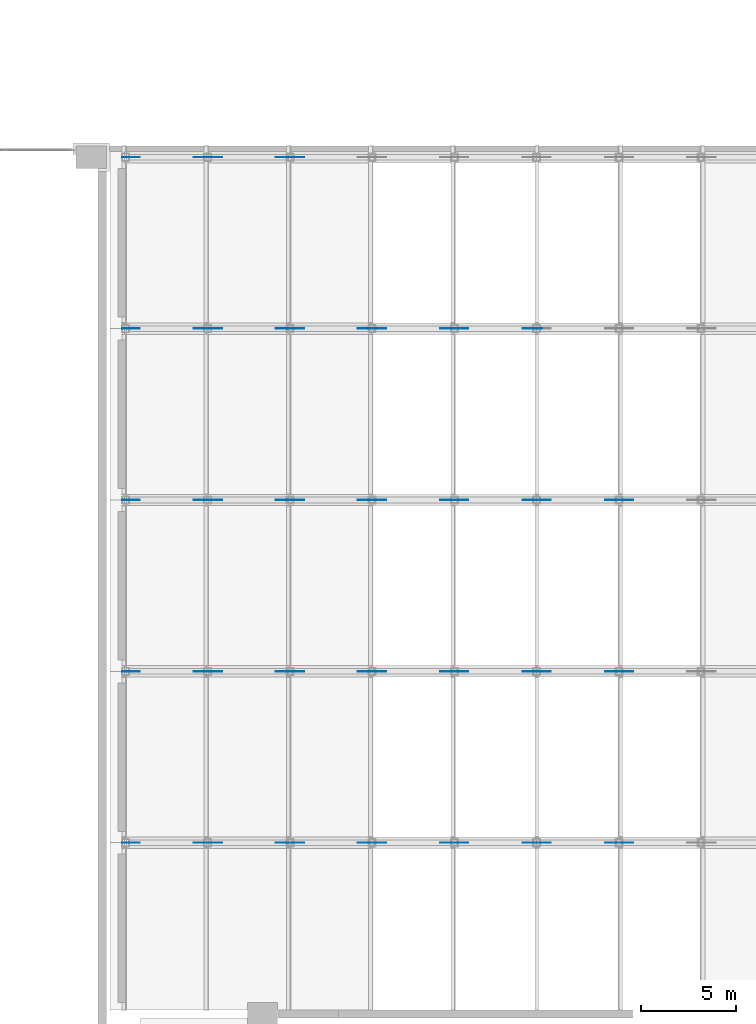
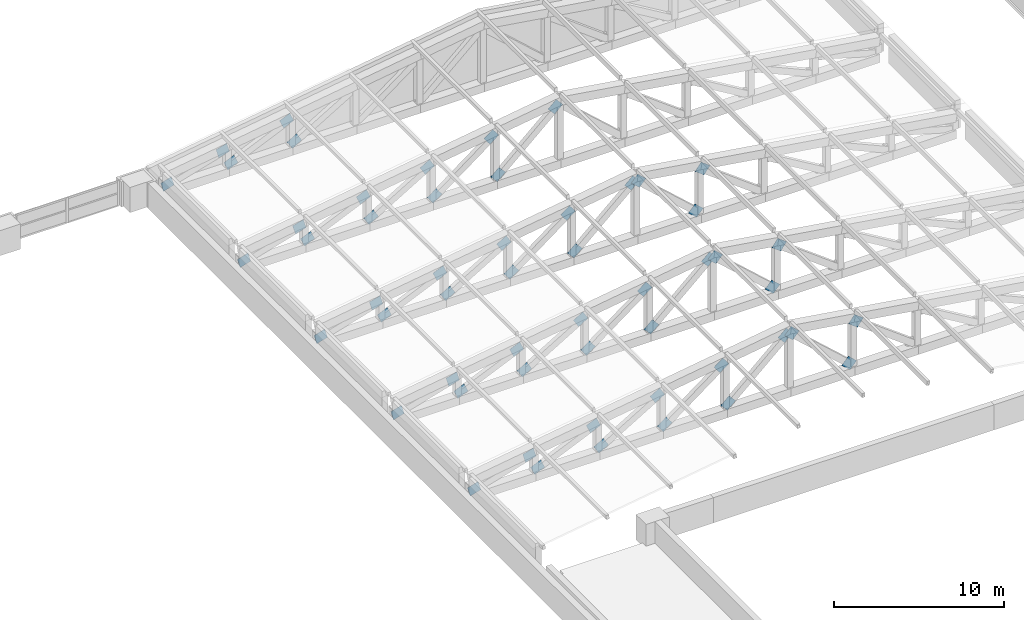
# One storey, part 18 of 32: 54 discrete accessories.
"""IFC4 building model written with IfcOpenShell, lengths in metres."""

from ifc_helpers import new_model, si_unit, direction, frame, origin, place, context, subcontext, project, spatial, polyline, outline, extrude, material, layer, layer_set, type_object, element, save


model = new_model("IFC4")

# Units and contexts
model_context = context("Model", 3, precision=1e-05, world=origin(), true_north=direction((0.0, 1.0)))
body_context = subcontext(model_context, "Body", "Model", "MODEL_VIEW")
ifc_project = project(units=[si_unit("LENGTHUNIT", "METRE"), si_unit("AREAUNIT", "SQUARE_METRE"), si_unit("VOLUMEUNIT", "CUBIC_METRE"), si_unit("PLANEANGLEUNIT", "RADIAN"), si_unit("MASSUNIT", "GRAM", prefix="KILO")], contexts=[model_context])

# Site, building, storey
site_placement = place(None, origin())
site = spatial("IfcSite", under=ifc_project, at=site_placement, CompositionType="ELEMENT")
building_placement = place(site_placement, origin())
building = spatial("IfcBuilding", under=site, at=building_placement, Name="Aravalli Gate Trade Fair Centre", CompositionType="ELEMENT")
storey_placement = place(building_placement, frame((0.0, 0.0, 23.39990234375)))
storey = spatial("IfcBuildingStorey", under=building, at=storey_placement, Name="ROOF LEVEL 1", CompositionType="ELEMENT", Elevation=23.39990234375)

# Discrete accessories
ifc_material = material(Name="Steel E350", Category="steel")
ifc_layer = layer(ifc_material, 0.01611328125)
ifc_layer_set = layer_set([ifc_layer], Name="Steel E350")
discrete_accessory_type = type_object("IfcDiscreteAccessoryType", Name="Gusset plate 675 x 675 x 16", PredefinedType="USERDEFINED", material=ifc_layer_set)
discrete_accessory_1_placement = place(storey_placement, frame((107.54248046875, 73.008056640625, 0.464599609375), z_axis=(0.0, 1.0, 0.0), x_axis=(-0.960195296604, 0.0, -0.27932954083)))
element("IfcDiscreteAccessory", 1, at=discrete_accessory_1_placement, inside=storey, type_object=discrete_accessory_type, Name="Gusset plate Roof truss 73 diagonal 1 end A", ObjectType="GUSSET PLATE", PredefinedType="USERDEFINED", context=body_context, shape_type="SweptSolid", body=[
    extrude(outline(polyline([(0.0, 0.0), (0.755156434128382, 0.0), (0.7550711895175329, 0.6750392866219126), (-8.52446108490501e-05, 0.6750392866219127), (0.0, 0.0)])), origin(), (0.0, 0.0, -1.0), 0.01611328125),
])
discrete_accessory_2_placement = place(storey_placement, frame((110.566162109375, 72.991943359375, 1.343994140625), z_axis=(0.0, -1.0, 0.0), x_axis=(0.960170059523, 0.0, 0.279416278689)))
element("IfcDiscreteAccessory", 2, at=discrete_accessory_2_placement, inside=storey, type_object=discrete_accessory_type, Name="Gusset plate Roof truss 73 diagonal 1 end B", ObjectType="GUSSET PLATE", PredefinedType="USERDEFINED", context=body_context, shape_type="SweptSolid", body=[
    extrude(outline(polyline([(0.0, 0.0), (0.7549220145287672, -2.7755575615628914e-17), (0.755000021777072, 0.6748048596486402), (0.00014622411321910112, 0.6750392761670784), (0.0, 0.0)])), origin(), (0.0, 0.0, -1.0), 0.01611328125),
])
discrete_accessory_3_placement = place(storey_placement, frame((111.60009765625, 72.991943359375, 1.182373046875), z_axis=(0.0, -1.0, 0.0), x_axis=(-0.914104656851, 0.0, -0.405478330276)))
element("IfcDiscreteAccessory", 3, at=discrete_accessory_3_placement, inside=storey, type_object=discrete_accessory_type, Name="Gusset plate Roof truss 73 diagonal 2 end A", ObjectType="GUSSET PLATE", PredefinedType="USERDEFINED", context=body_context, shape_type="SweptSolid", body=[
    extrude(outline(polyline([(0.0, 0.0), (0.7550399636434889, 0.0), (0.7550234646879928, 0.674922772485776), (8.24947774813456e-05, 0.6751459425680151), (0.0, 0.0)])), origin(), (0.0, 0.0, -1.0), 0.01611328125),
])
discrete_accessory_4_placement = place(storey_placement, frame((114.9599609375, 72.991943359375, 1.934326171875), z_axis=(0.0, -1.0, 0.0), x_axis=(0.91405147077, 0.0, 0.405598211021)))
element("IfcDiscreteAccessory", 4, at=discrete_accessory_4_placement, inside=storey, type_object=discrete_accessory_type, Name="Gusset plate Roof truss 73 diagonal 2 end B", ObjectType="GUSSET PLATE", PredefinedType="USERDEFINED", context=body_context, shape_type="SweptSolid", body=[
    extrude(outline(polyline([(0.0, 0.0), (0.7548168000527319, 0.0), (0.754888816780541, 0.6749227688452162), (-5.2117368809223574e-05, 0.6752449489433096), (0.0, 0.0)])), origin(), (0.0, 0.0, -1.0), 0.01611328125),
])
discrete_accessory_5_placement = place(storey_placement, frame((115.8466796875, 72.991943359375, 1.235595703125), z_axis=(0.0, -1.0, 0.0), x_axis=(-0.858774562998, 0.0, -0.512353637585)))
element("IfcDiscreteAccessory", 5, at=discrete_accessory_5_placement, inside=storey, type_object=discrete_accessory_type, Name="Gusset plate Roof truss 73 diagonal 3 end A", ObjectType="GUSSET PLATE", PredefinedType="USERDEFINED", context=body_context, shape_type="SweptSolid", body=[
    extrude(outline(polyline([(0.0, 0.0), (0.7547887272206776, 0.0), (0.7548626418745374, 0.674859268403079), (-0.00013574710468472473, 0.6749843547403801), (0.0, 0.0)])), origin(), (0.0, 0.0, -1.0), 0.01611328125),
])
discrete_accessory_6_placement = place(storey_placement, frame((119.353271484375, 72.991943359375, 2.541015625), z_axis=(0.0, -1.0, 0.0), x_axis=(0.858859436743, 0.0, 0.512211350829)))
element("IfcDiscreteAccessory", 6, at=discrete_accessory_6_placement, inside=storey, type_object=discrete_accessory_type, Name="Gusset plate Roof truss 73 diagonal 3 end B", ObjectType="GUSSET PLATE", PredefinedType="USERDEFINED", context=body_context, shape_type="SweptSolid", body=[
    extrude(outline(polyline([(0.0, 0.0), (0.7549983993412255, 0.0), (0.7547508224375146, 0.6749843229862753), (-0.0002475769037109665, 0.6749843229862754), (0.0, 0.0)])), origin(), (0.0, 0.0, -1.0), 0.01611328125),
])
discrete_accessory_7_placement = place(storey_placement, frame((120.097900390625, 72.991943359375, 1.27490234375), z_axis=(0.0, -1.0, 0.0), x_axis=(-0.800349107724, 0.0, -0.599534240695)))
element("IfcDiscreteAccessory", 7, at=discrete_accessory_7_placement, inside=storey, type_object=discrete_accessory_type, Name="Gusset plate Roof truss 73 diagonal 4 end A", ObjectType="GUSSET PLATE", PredefinedType="USERDEFINED", context=body_context, shape_type="SweptSolid", body=[
    extrude(outline(polyline([(0.0, 0.0), (0.7549805966467078, 0.0), (0.755124835699325, 0.6749513701719645), (-5.115867876076541e-05, 0.6750977408361967), (0.0, 0.0)])), origin(), (0.0, 0.0, -1.0), 0.01611328125),
])
discrete_accessory_8_placement = place(storey_placement, frame((123.7421875, 72.991943359375, 3.161865234375), z_axis=(0.0, -1.0, 0.0), x_axis=(0.800349107724, 0.0, 0.599534240695)))
element("IfcDiscreteAccessory", 8, at=discrete_accessory_8_placement, inside=storey, type_object=discrete_accessory_type, Name="Gusset plate Roof truss 73 diagonal 4 end B", ObjectType="GUSSET PLATE", PredefinedType="USERDEFINED", context=body_context, shape_type="SweptSolid", body=[
    extrude(outline(polyline([(0.0, 0.0), (0.7549805966467078, 0.0), (0.754929437967947, 0.6750977408361967), (-0.00019752934299294145, 0.6749023431048188), (0.0, 0.0)])), origin(), (0.0, 0.0, -1.0), 0.01611328125),
])
for number, where, z_axis, x_axis, name in (
    (9, (124.355224609375, 72.991943359375, 1.302734375), (0.0, -1.0, 0.0), (-0.742698988636, 0.0, -0.669625426846), "Gusset plate Roof truss 73 diagonal 5 end A"),
    (10, (128.124755859375, 72.991943359375, 3.7939453125), (0.0, -1.0, 0.0), (0.742698988636, 0.0, 0.669625426846), "Gusset plate Roof truss 73 diagonal 5 end B"),
):
    element("IfcDiscreteAccessory", number, at=place(storey_placement, frame(where, z_axis=z_axis, x_axis=x_axis)), inside=storey, type_object=discrete_accessory_type, Name=name, ObjectType="GUSSET PLATE", PredefinedType="USERDEFINED", context=body_context, shape_type="SweptSolid", body=[
        extrude(outline(polyline([(0.0, 0.0), (0.7550717372791841, 0.0), (0.7548916773086937, 0.6750261997531783), (-0.00018005997049042044, 0.6750261997531783), (0.0, 0.0)])), origin(), (0.0, 0.0, -1.0), 0.01611328125),
    ])
discrete_accessory_9_placement = place(storey_placement, frame((131.99267578125, 72.991943359375, 0.801513671875), z_axis=(0.0, -1.0, 0.0), x_axis=(0.742698988636, 0.0, -0.669625426846)))
element("IfcDiscreteAccessory", 11, at=discrete_accessory_9_placement, inside=storey, type_object=discrete_accessory_type, Name="Gusset plate Roof truss 73 diagonal 6 end A", ObjectType="GUSSET PLATE", PredefinedType="USERDEFINED", context=body_context, shape_type="SweptSolid", body=[
    extrude(outline(polyline([(0.0, 0.0), (0.7550717372791841, 0.0), (0.7552517972496745, 0.6750261997531783), (0.00018005997049042044, 0.6750261997531783), (0.0, 0.0)])), origin(), (0.0, 0.0, -1.0), 0.01611328125),
])
discrete_accessory_10_placement = place(storey_placement, frame((128.67529296875, 73.008056640625, 3.7939453125), z_axis=(0.0, 1.0, 0.0), x_axis=(-0.742698988636, 0.0, 0.669625426846)))
element("IfcDiscreteAccessory", 12, at=discrete_accessory_10_placement, inside=storey, type_object=discrete_accessory_type, Name="Gusset plate Roof truss 73 diagonal 6 end B", ObjectType="GUSSET PLATE", PredefinedType="USERDEFINED", context=body_context, shape_type="SweptSolid", body=[
    extrude(outline(polyline([(0.0, 0.0), (0.7550717372791841, 0.0), (0.7548916773086937, 0.6750261997531783), (1.2630247820388796e-06, 0.6748627169829523), (0.0, 0.0)])), origin(), (0.0, 0.0, -1.0), 0.01611328125),
])
discrete_accessory_11_placement = place(storey_placement, frame((133.057861328125, 73.008056640625, 3.161865234375), z_axis=(0.0, 1.0, 0.0), x_axis=(-0.800349107724, 0.0, 0.599534240695)))
element("IfcDiscreteAccessory", 13, at=discrete_accessory_11_placement, inside=storey, type_object=discrete_accessory_type, Name="Gusset plate Roof truss 73 diagonal 7 end B", ObjectType="GUSSET PLATE", PredefinedType="USERDEFINED", context=body_context, shape_type="SweptSolid", body=[
    extrude(outline(polyline([(0.0, 0.0), (0.7549805966467078, 0.0), (0.754929437967947, 0.6750977408361967), (-0.00019752934299294145, 0.6749023431048188), (0.0, 0.0)])), origin(), (0.0, 0.0, -1.0), 0.01611328125),
])
discrete_accessory_12_placement = place(storey_placement, frame((107.54248046875, 82.008056640625, 0.464599609375), z_axis=(0.0, 1.0, 0.0), x_axis=(-0.960195296604, 0.0, -0.27932954083)))
element("IfcDiscreteAccessory", 14, at=discrete_accessory_12_placement, inside=storey, type_object=discrete_accessory_type, Name="Gusset plate Roof truss 82 diagonal 1 end A", ObjectType="GUSSET PLATE", PredefinedType="USERDEFINED", context=body_context, shape_type="SweptSolid", body=[
    extrude(outline(polyline([(0.0, 0.0), (0.755156434128382, 0.0), (0.7550711895175329, 0.6750392866219126), (-8.52446108490501e-05, 0.6750392866219127), (0.0, 0.0)])), origin(), (0.0, 0.0, -1.0), 0.01611328125),
])
discrete_accessory_13_placement = place(storey_placement, frame((110.566162109375, 81.991943359375, 1.343994140625), z_axis=(0.0, -1.0, 0.0), x_axis=(0.960170059523, 0.0, 0.279416278689)))
element("IfcDiscreteAccessory", 15, at=discrete_accessory_13_placement, inside=storey, type_object=discrete_accessory_type, Name="Gusset plate Roof truss 82 diagonal 1 end B", ObjectType="GUSSET PLATE", PredefinedType="USERDEFINED", context=body_context, shape_type="SweptSolid", body=[
    extrude(outline(polyline([(0.0, 0.0), (0.7549220145287672, -2.7755575615628914e-17), (0.755000021777072, 0.6748048596486402), (0.00014622411321910112, 0.6750392761670784), (0.0, 0.0)])), origin(), (0.0, 0.0, -1.0), 0.01611328125),
])
discrete_accessory_14_placement = place(storey_placement, frame((111.60009765625, 81.991943359375, 1.182373046875), z_axis=(0.0, -1.0, 0.0), x_axis=(-0.914104656851, 0.0, -0.405478330276)))
element("IfcDiscreteAccessory", 16, at=discrete_accessory_14_placement, inside=storey, type_object=discrete_accessory_type, Name="Gusset plate Roof truss 82 diagonal 2 end A", ObjectType="GUSSET PLATE", PredefinedType="USERDEFINED", context=body_context, shape_type="SweptSolid", body=[
    extrude(outline(polyline([(0.0, 0.0), (0.7550399636434889, 0.0), (0.7550234646879928, 0.674922772485776), (8.24947774813456e-05, 0.6751459425680151), (0.0, 0.0)])), origin(), (0.0, 0.0, -1.0), 0.01611328125),
])
discrete_accessory_15_placement = place(storey_placement, frame((114.9599609375, 81.991943359375, 1.934326171875), z_axis=(0.0, -1.0, 0.0), x_axis=(0.91405147077, 0.0, 0.405598211021)))
element("IfcDiscreteAccessory", 17, at=discrete_accessory_15_placement, inside=storey, type_object=discrete_accessory_type, Name="Gusset plate Roof truss 82 diagonal 2 end B", ObjectType="GUSSET PLATE", PredefinedType="USERDEFINED", context=body_context, shape_type="SweptSolid", body=[
    extrude(outline(polyline([(0.0, 0.0), (0.7548168000527319, 0.0), (0.754888816780541, 0.6749227688452162), (-5.2117368809223574e-05, 0.6752449489433096), (0.0, 0.0)])), origin(), (0.0, 0.0, -1.0), 0.01611328125),
])
discrete_accessory_16_placement = place(storey_placement, frame((115.8466796875, 81.991943359375, 1.235595703125), z_axis=(0.0, -1.0, 0.0), x_axis=(-0.858774562998, 0.0, -0.512353637585)))
element("IfcDiscreteAccessory", 18, at=discrete_accessory_16_placement, inside=storey, type_object=discrete_accessory_type, Name="Gusset plate Roof truss 82 diagonal 3 end A", ObjectType="GUSSET PLATE", PredefinedType="USERDEFINED", context=body_context, shape_type="SweptSolid", body=[
    extrude(outline(polyline([(0.0, 0.0), (0.7547887272206776, 0.0), (0.7548626418745374, 0.674859268403079), (-0.00013574710468472473, 0.6749843547403801), (0.0, 0.0)])), origin(), (0.0, 0.0, -1.0), 0.01611328125),
])
discrete_accessory_17_placement = place(storey_placement, frame((119.353271484375, 81.991943359375, 2.541015625), z_axis=(0.0, -1.0, 0.0), x_axis=(0.858859436743, 0.0, 0.512211350829)))
element("IfcDiscreteAccessory", 19, at=discrete_accessory_17_placement, inside=storey, type_object=discrete_accessory_type, Name="Gusset plate Roof truss 82 diagonal 3 end B", ObjectType="GUSSET PLATE", PredefinedType="USERDEFINED", context=body_context, shape_type="SweptSolid", body=[
    extrude(outline(polyline([(0.0, 0.0), (0.7549983993412255, 0.0), (0.7547508224375146, 0.6749843229862753), (-0.0002475769037109665, 0.6749843229862754), (0.0, 0.0)])), origin(), (0.0, 0.0, -1.0), 0.01611328125),
])
discrete_accessory_18_placement = place(storey_placement, frame((120.097900390625, 81.991943359375, 1.27490234375), z_axis=(0.0, -1.0, 0.0), x_axis=(-0.800349107724, 0.0, -0.599534240695)))
element("IfcDiscreteAccessory", 20, at=discrete_accessory_18_placement, inside=storey, type_object=discrete_accessory_type, Name="Gusset plate Roof truss 82 diagonal 4 end A", ObjectType="GUSSET PLATE", PredefinedType="USERDEFINED", context=body_context, shape_type="SweptSolid", body=[
    extrude(outline(polyline([(0.0, 0.0), (0.7549805966467078, 0.0), (0.755124835699325, 0.6749513701719645), (-5.115867876076541e-05, 0.6750977408361967), (0.0, 0.0)])), origin(), (0.0, 0.0, -1.0), 0.01611328125),
])
discrete_accessory_19_placement = place(storey_placement, frame((123.7421875, 81.991943359375, 3.161865234375), z_axis=(0.0, -1.0, 0.0), x_axis=(0.800349107724, 0.0, 0.599534240695)))
element("IfcDiscreteAccessory", 21, at=discrete_accessory_19_placement, inside=storey, type_object=discrete_accessory_type, Name="Gusset plate Roof truss 82 diagonal 4 end B", ObjectType="GUSSET PLATE", PredefinedType="USERDEFINED", context=body_context, shape_type="SweptSolid", body=[
    extrude(outline(polyline([(0.0, 0.0), (0.7549805966467078, 0.0), (0.754929437967947, 0.6750977408361967), (-0.00019752934299294145, 0.6749023431048188), (0.0, 0.0)])), origin(), (0.0, 0.0, -1.0), 0.01611328125),
])
for number, where, z_axis, x_axis, name in (
    (22, (124.355224609375, 81.991943359375, 1.302734375), (0.0, -1.0, 0.0), (-0.742698988636, 0.0, -0.669625426846), "Gusset plate Roof truss 82 diagonal 5 end A"),
    (23, (128.124755859375, 81.991943359375, 3.7939453125), (0.0, -1.0, 0.0), (0.742698988636, 0.0, 0.669625426846), "Gusset plate Roof truss 82 diagonal 5 end B"),
):
    element("IfcDiscreteAccessory", number, at=place(storey_placement, frame(where, z_axis=z_axis, x_axis=x_axis)), inside=storey, type_object=discrete_accessory_type, Name=name, ObjectType="GUSSET PLATE", PredefinedType="USERDEFINED", context=body_context, shape_type="SweptSolid", body=[
        extrude(outline(polyline([(0.0, 0.0), (0.7550717372791841, 0.0), (0.7548916773086937, 0.6750261997531783), (-0.00018005997049042044, 0.6750261997531783), (0.0, 0.0)])), origin(), (0.0, 0.0, -1.0), 0.01611328125),
    ])
discrete_accessory_20_placement = place(storey_placement, frame((131.99267578125, 81.991943359375, 0.801513671875), z_axis=(0.0, -1.0, 0.0), x_axis=(0.742698988636, 0.0, -0.669625426846)))
element("IfcDiscreteAccessory", 24, at=discrete_accessory_20_placement, inside=storey, type_object=discrete_accessory_type, Name="Gusset plate Roof truss 82 diagonal 6 end A", ObjectType="GUSSET PLATE", PredefinedType="USERDEFINED", context=body_context, shape_type="SweptSolid", body=[
    extrude(outline(polyline([(0.0, 0.0), (0.7550717372791841, 0.0), (0.7552517972496745, 0.6750261997531783), (0.00018005997049042044, 0.6750261997531783), (0.0, 0.0)])), origin(), (0.0, 0.0, -1.0), 0.01611328125),
])
discrete_accessory_21_placement = place(storey_placement, frame((128.67529296875, 82.008056640625, 3.7939453125), z_axis=(0.0, 1.0, 0.0), x_axis=(-0.742698988636, 0.0, 0.669625426846)))
element("IfcDiscreteAccessory", 25, at=discrete_accessory_21_placement, inside=storey, type_object=discrete_accessory_type, Name="Gusset plate Roof truss 82 diagonal 6 end B", ObjectType="GUSSET PLATE", PredefinedType="USERDEFINED", context=body_context, shape_type="SweptSolid", body=[
    extrude(outline(polyline([(0.0, 0.0), (0.7550717372791841, 0.0), (0.7548916773086937, 0.6750261997531783), (1.2630247820388796e-06, 0.6748627169829523), (0.0, 0.0)])), origin(), (0.0, 0.0, -1.0), 0.01611328125),
])
discrete_accessory_22_placement = place(storey_placement, frame((133.057861328125, 82.008056640625, 3.161865234375), z_axis=(0.0, 1.0, 0.0), x_axis=(-0.800349107724, 0.0, 0.599534240695)))
element("IfcDiscreteAccessory", 26, at=discrete_accessory_22_placement, inside=storey, type_object=discrete_accessory_type, Name="Gusset plate Roof truss 82 diagonal 7 end B", ObjectType="GUSSET PLATE", PredefinedType="USERDEFINED", context=body_context, shape_type="SweptSolid", body=[
    extrude(outline(polyline([(0.0, 0.0), (0.7549805966467078, 0.0), (0.754929437967947, 0.6750977408361967), (-0.00019752934299294145, 0.6749023431048188), (0.0, 0.0)])), origin(), (0.0, 0.0, -1.0), 0.01611328125),
])
discrete_accessory_23_placement = place(storey_placement, frame((107.54248046875, 91.008056640625, 0.464599609375), z_axis=(0.0, 1.0, 0.0), x_axis=(-0.960195296604, 0.0, -0.27932954083)))
element("IfcDiscreteAccessory", 27, at=discrete_accessory_23_placement, inside=storey, type_object=discrete_accessory_type, Name="Gusset plate Roof truss 91 diagonal 1 end A", ObjectType="GUSSET PLATE", PredefinedType="USERDEFINED", context=body_context, shape_type="SweptSolid", body=[
    extrude(outline(polyline([(0.0, 0.0), (0.755156434128382, 0.0), (0.7550711895175329, 0.6750392866219126), (-8.52446108490501e-05, 0.6750392866219127), (0.0, 0.0)])), origin(), (0.0, 0.0, -1.0), 0.01611328125),
])
discrete_accessory_24_placement = place(storey_placement, frame((110.566162109375, 90.991943359375, 1.343994140625), z_axis=(0.0, -1.0, 0.0), x_axis=(0.960170059523, 0.0, 0.279416278689)))
element("IfcDiscreteAccessory", 28, at=discrete_accessory_24_placement, inside=storey, type_object=discrete_accessory_type, Name="Gusset plate Roof truss 91 diagonal 1 end B", ObjectType="GUSSET PLATE", PredefinedType="USERDEFINED", context=body_context, shape_type="SweptSolid", body=[
    extrude(outline(polyline([(0.0, 0.0), (0.7549220145287672, -2.7755575615628914e-17), (0.755000021777072, 0.6748048596486402), (0.00014622411321910112, 0.6750392761670784), (0.0, 0.0)])), origin(), (0.0, 0.0, -1.0), 0.01611328125),
])
discrete_accessory_25_placement = place(storey_placement, frame((111.60009765625, 90.991943359375, 1.182373046875), z_axis=(0.0, -1.0, 0.0), x_axis=(-0.914104656851, 0.0, -0.405478330276)))
element("IfcDiscreteAccessory", 29, at=discrete_accessory_25_placement, inside=storey, type_object=discrete_accessory_type, Name="Gusset plate Roof truss 91 diagonal 2 end A", ObjectType="GUSSET PLATE", PredefinedType="USERDEFINED", context=body_context, shape_type="SweptSolid", body=[
    extrude(outline(polyline([(0.0, 0.0), (0.7550399636434889, 0.0), (0.7550234646879928, 0.674922772485776), (8.24947774813456e-05, 0.6751459425680151), (0.0, 0.0)])), origin(), (0.0, 0.0, -1.0), 0.01611328125),
])
discrete_accessory_26_placement = place(storey_placement, frame((114.9599609375, 90.991943359375, 1.934326171875), z_axis=(0.0, -1.0, 0.0), x_axis=(0.91405147077, 0.0, 0.405598211021)))
element("IfcDiscreteAccessory", 30, at=discrete_accessory_26_placement, inside=storey, type_object=discrete_accessory_type, Name="Gusset plate Roof truss 91 diagonal 2 end B", ObjectType="GUSSET PLATE", PredefinedType="USERDEFINED", context=body_context, shape_type="SweptSolid", body=[
    extrude(outline(polyline([(0.0, 0.0), (0.7548168000527319, 0.0), (0.754888816780541, 0.6749227688452162), (-5.2117368809223574e-05, 0.6752449489433096), (0.0, 0.0)])), origin(), (0.0, 0.0, -1.0), 0.01611328125),
])
discrete_accessory_27_placement = place(storey_placement, frame((115.8466796875, 90.991943359375, 1.235595703125), z_axis=(0.0, -1.0, 0.0), x_axis=(-0.858774562998, 0.0, -0.512353637585)))
element("IfcDiscreteAccessory", 31, at=discrete_accessory_27_placement, inside=storey, type_object=discrete_accessory_type, Name="Gusset plate Roof truss 91 diagonal 3 end A", ObjectType="GUSSET PLATE", PredefinedType="USERDEFINED", context=body_context, shape_type="SweptSolid", body=[
    extrude(outline(polyline([(0.0, 0.0), (0.7547887272206776, 0.0), (0.7548626418745374, 0.674859268403079), (-0.00013574710468472473, 0.6749843547403801), (0.0, 0.0)])), origin(), (0.0, 0.0, -1.0), 0.01611328125),
])
discrete_accessory_28_placement = place(storey_placement, frame((119.353271484375, 90.991943359375, 2.541015625), z_axis=(0.0, -1.0, 0.0), x_axis=(0.858859436743, 0.0, 0.512211350829)))
element("IfcDiscreteAccessory", 32, at=discrete_accessory_28_placement, inside=storey, type_object=discrete_accessory_type, Name="Gusset plate Roof truss 91 diagonal 3 end B", ObjectType="GUSSET PLATE", PredefinedType="USERDEFINED", context=body_context, shape_type="SweptSolid", body=[
    extrude(outline(polyline([(0.0, 0.0), (0.7549983993412255, 0.0), (0.7547508224375146, 0.6749843229862753), (-0.0002475769037109665, 0.6749843229862754), (0.0, 0.0)])), origin(), (0.0, 0.0, -1.0), 0.01611328125),
])
discrete_accessory_29_placement = place(storey_placement, frame((120.097900390625, 90.991943359375, 1.27490234375), z_axis=(0.0, -1.0, 0.0), x_axis=(-0.800349107724, 0.0, -0.599534240695)))
element("IfcDiscreteAccessory", 33, at=discrete_accessory_29_placement, inside=storey, type_object=discrete_accessory_type, Name="Gusset plate Roof truss 91 diagonal 4 end A", ObjectType="GUSSET PLATE", PredefinedType="USERDEFINED", context=body_context, shape_type="SweptSolid", body=[
    extrude(outline(polyline([(0.0, 0.0), (0.7549805966467078, 0.0), (0.755124835699325, 0.6749513701719645), (-5.115867876076541e-05, 0.6750977408361967), (0.0, 0.0)])), origin(), (0.0, 0.0, -1.0), 0.01611328125),
])
discrete_accessory_30_placement = place(storey_placement, frame((123.7421875, 90.991943359375, 3.161865234375), z_axis=(0.0, -1.0, 0.0), x_axis=(0.800349107724, 0.0, 0.599534240695)))
element("IfcDiscreteAccessory", 34, at=discrete_accessory_30_placement, inside=storey, type_object=discrete_accessory_type, Name="Gusset plate Roof truss 91 diagonal 4 end B", ObjectType="GUSSET PLATE", PredefinedType="USERDEFINED", context=body_context, shape_type="SweptSolid", body=[
    extrude(outline(polyline([(0.0, 0.0), (0.7549805966467078, 0.0), (0.754929437967947, 0.6750977408361967), (-0.00019752934299294145, 0.6749023431048188), (0.0, 0.0)])), origin(), (0.0, 0.0, -1.0), 0.01611328125),
])
for number, where, z_axis, x_axis, name in (
    (35, (124.355224609375, 90.991943359375, 1.302734375), (0.0, -1.0, 0.0), (-0.742698988636, 0.0, -0.669625426846), "Gusset plate Roof truss 91 diagonal 5 end A"),
    (36, (128.124755859375, 90.991943359375, 3.7939453125), (0.0, -1.0, 0.0), (0.742698988636, 0.0, 0.669625426846), "Gusset plate Roof truss 91 diagonal 5 end B"),
):
    element("IfcDiscreteAccessory", number, at=place(storey_placement, frame(where, z_axis=z_axis, x_axis=x_axis)), inside=storey, type_object=discrete_accessory_type, Name=name, ObjectType="GUSSET PLATE", PredefinedType="USERDEFINED", context=body_context, shape_type="SweptSolid", body=[
        extrude(outline(polyline([(0.0, 0.0), (0.7550717372791841, 0.0), (0.7548916773086937, 0.6750261997531783), (-0.00018005997049042044, 0.6750261997531783), (0.0, 0.0)])), origin(), (0.0, 0.0, -1.0), 0.01611328125),
    ])
discrete_accessory_31_placement = place(storey_placement, frame((131.99267578125, 90.991943359375, 0.801513671875), z_axis=(0.0, -1.0, 0.0), x_axis=(0.742698988636, 0.0, -0.669625426846)))
element("IfcDiscreteAccessory", 37, at=discrete_accessory_31_placement, inside=storey, type_object=discrete_accessory_type, Name="Gusset plate Roof truss 91 diagonal 6 end A", ObjectType="GUSSET PLATE", PredefinedType="USERDEFINED", context=body_context, shape_type="SweptSolid", body=[
    extrude(outline(polyline([(0.0, 0.0), (0.7550717372791841, 0.0), (0.7552517972496745, 0.6750261997531783), (0.00018005997049042044, 0.6750261997531783), (0.0, 0.0)])), origin(), (0.0, 0.0, -1.0), 0.01611328125),
])
discrete_accessory_32_placement = place(storey_placement, frame((128.67529296875, 91.008056640625, 3.7939453125), z_axis=(0.0, 1.0, 0.0), x_axis=(-0.742698988636, 0.0, 0.669625426846)))
element("IfcDiscreteAccessory", 38, at=discrete_accessory_32_placement, inside=storey, type_object=discrete_accessory_type, Name="Gusset plate Roof truss 91 diagonal 6 end B", ObjectType="GUSSET PLATE", PredefinedType="USERDEFINED", context=body_context, shape_type="SweptSolid", body=[
    extrude(outline(polyline([(0.0, 0.0), (0.7550717372791841, 0.0), (0.7548916773086937, 0.6750261997531783), (1.2630247820388796e-06, 0.6748627169829523), (0.0, 0.0)])), origin(), (0.0, 0.0, -1.0), 0.01611328125),
])
discrete_accessory_33_placement = place(storey_placement, frame((133.057861328125, 91.008056640625, 3.161865234375), z_axis=(0.0, 1.0, 0.0), x_axis=(-0.800349107724, 0.0, 0.599534240695)))
element("IfcDiscreteAccessory", 39, at=discrete_accessory_33_placement, inside=storey, type_object=discrete_accessory_type, Name="Gusset plate Roof truss 91 diagonal 7 end B", ObjectType="GUSSET PLATE", PredefinedType="USERDEFINED", context=body_context, shape_type="SweptSolid", body=[
    extrude(outline(polyline([(0.0, 0.0), (0.7549805966467078, 0.0), (0.754929437967947, 0.6750977408361967), (-0.00019752934299294145, 0.6749023431048188), (0.0, 0.0)])), origin(), (0.0, 0.0, -1.0), 0.01611328125),
])
discrete_accessory_34_placement = place(storey_placement, frame((107.54248046875, 100.008056640625, 0.464599609375), z_axis=(0.0, 1.0, 0.0), x_axis=(-0.960195296604, 0.0, -0.27932954083)))
element("IfcDiscreteAccessory", 40, at=discrete_accessory_34_placement, inside=storey, type_object=discrete_accessory_type, Name="Gusset plate Roof truss 100 diagonal 1 end A", ObjectType="GUSSET PLATE", PredefinedType="USERDEFINED", context=body_context, shape_type="SweptSolid", body=[
    extrude(outline(polyline([(0.0, 0.0), (0.755156434128382, 0.0), (0.7550711895175329, 0.6750392866219126), (-8.52446108490501e-05, 0.6750392866219127), (0.0, 0.0)])), origin(), (0.0, 0.0, -1.0), 0.01611328125),
])
discrete_accessory_35_placement = place(storey_placement, frame((110.566162109375, 99.991943359375, 1.343994140625), z_axis=(0.0, -1.0, 0.0), x_axis=(0.960170059523, 0.0, 0.279416278689)))
element("IfcDiscreteAccessory", 41, at=discrete_accessory_35_placement, inside=storey, type_object=discrete_accessory_type, Name="Gusset plate Roof truss 100 diagonal 1 end B", ObjectType="GUSSET PLATE", PredefinedType="USERDEFINED", context=body_context, shape_type="SweptSolid", body=[
    extrude(outline(polyline([(0.0, 0.0), (0.7549220145287672, -2.7755575615628914e-17), (0.755000021777072, 0.6748048596486402), (0.00014622411321910112, 0.6750392761670784), (0.0, 0.0)])), origin(), (0.0, 0.0, -1.0), 0.01611328125),
])
discrete_accessory_36_placement = place(storey_placement, frame((111.60009765625, 99.991943359375, 1.182373046875), z_axis=(0.0, -1.0, 0.0), x_axis=(-0.914104656851, 0.0, -0.405478330276)))
element("IfcDiscreteAccessory", 42, at=discrete_accessory_36_placement, inside=storey, type_object=discrete_accessory_type, Name="Gusset plate Roof truss 100 diagonal 2 end A", ObjectType="GUSSET PLATE", PredefinedType="USERDEFINED", context=body_context, shape_type="SweptSolid", body=[
    extrude(outline(polyline([(0.0, 0.0), (0.7550399636434889, 0.0), (0.7550234646879928, 0.674922772485776), (8.24947774813456e-05, 0.6751459425680151), (0.0, 0.0)])), origin(), (0.0, 0.0, -1.0), 0.01611328125),
])
discrete_accessory_37_placement = place(storey_placement, frame((114.9599609375, 99.991943359375, 1.934326171875), z_axis=(0.0, -1.0, 0.0), x_axis=(0.91405147077, 0.0, 0.405598211021)))
element("IfcDiscreteAccessory", 43, at=discrete_accessory_37_placement, inside=storey, type_object=discrete_accessory_type, Name="Gusset plate Roof truss 100 diagonal 2 end B", ObjectType="GUSSET PLATE", PredefinedType="USERDEFINED", context=body_context, shape_type="SweptSolid", body=[
    extrude(outline(polyline([(0.0, 0.0), (0.7548168000527319, 0.0), (0.754888816780541, 0.6749227688452162), (-5.2117368809223574e-05, 0.6752449489433096), (0.0, 0.0)])), origin(), (0.0, 0.0, -1.0), 0.01611328125),
])
discrete_accessory_38_placement = place(storey_placement, frame((115.8466796875, 99.991943359375, 1.235595703125), z_axis=(0.0, -1.0, 0.0), x_axis=(-0.858774562998, 0.0, -0.512353637585)))
element("IfcDiscreteAccessory", 44, at=discrete_accessory_38_placement, inside=storey, type_object=discrete_accessory_type, Name="Gusset plate Roof truss 100 diagonal 3 end A", ObjectType="GUSSET PLATE", PredefinedType="USERDEFINED", context=body_context, shape_type="SweptSolid", body=[
    extrude(outline(polyline([(0.0, 0.0), (0.7547887272206776, 0.0), (0.7548626418745374, 0.674859268403079), (-0.00013574710468472473, 0.6749843547403801), (0.0, 0.0)])), origin(), (0.0, 0.0, -1.0), 0.01611328125),
])
discrete_accessory_39_placement = place(storey_placement, frame((119.353271484375, 99.991943359375, 2.541015625), z_axis=(0.0, -1.0, 0.0), x_axis=(0.858859436743, 0.0, 0.512211350829)))
element("IfcDiscreteAccessory", 45, at=discrete_accessory_39_placement, inside=storey, type_object=discrete_accessory_type, Name="Gusset plate Roof truss 100 diagonal 3 end B", ObjectType="GUSSET PLATE", PredefinedType="USERDEFINED", context=body_context, shape_type="SweptSolid", body=[
    extrude(outline(polyline([(0.0, 0.0), (0.7549983993412255, 0.0), (0.7547508224375146, 0.6749843229862753), (-0.0002475769037109665, 0.6749843229862754), (0.0, 0.0)])), origin(), (0.0, 0.0, -1.0), 0.01611328125),
])
discrete_accessory_40_placement = place(storey_placement, frame((120.097900390625, 99.991943359375, 1.27490234375), z_axis=(0.0, -1.0, 0.0), x_axis=(-0.800349107724, 0.0, -0.599534240695)))
element("IfcDiscreteAccessory", 46, at=discrete_accessory_40_placement, inside=storey, type_object=discrete_accessory_type, Name="Gusset plate Roof truss 100 diagonal 4 end A", ObjectType="GUSSET PLATE", PredefinedType="USERDEFINED", context=body_context, shape_type="SweptSolid", body=[
    extrude(outline(polyline([(0.0, 0.0), (0.7549805966467078, 0.0), (0.755124835699325, 0.6749513701719645), (-5.115867876076541e-05, 0.6750977408361967), (0.0, 0.0)])), origin(), (0.0, 0.0, -1.0), 0.01611328125),
])
discrete_accessory_41_placement = place(storey_placement, frame((123.7421875, 99.991943359375, 3.161865234375), z_axis=(0.0, -1.0, 0.0), x_axis=(0.800349107724, 0.0, 0.599534240695)))
element("IfcDiscreteAccessory", 47, at=discrete_accessory_41_placement, inside=storey, type_object=discrete_accessory_type, Name="Gusset plate Roof truss 100 diagonal 4 end B", ObjectType="GUSSET PLATE", PredefinedType="USERDEFINED", context=body_context, shape_type="SweptSolid", body=[
    extrude(outline(polyline([(0.0, 0.0), (0.7549805966467078, 0.0), (0.754929437967947, 0.6750977408361967), (-0.00019752934299294145, 0.6749023431048188), (0.0, 0.0)])), origin(), (0.0, 0.0, -1.0), 0.01611328125),
])
for number, where, z_axis, x_axis, name in (
    (48, (124.355224609375, 99.991943359375, 1.302734375), (0.0, -1.0, 0.0), (-0.742698988636, 0.0, -0.669625426846), "Gusset plate Roof truss 100 diagonal 5 end A"),
    (49, (128.124755859375, 99.991943359375, 3.7939453125), (0.0, -1.0, 0.0), (0.742698988636, 0.0, 0.669625426846), "Gusset plate Roof truss 100 diagonal 5 end B"),
):
    element("IfcDiscreteAccessory", number, at=place(storey_placement, frame(where, z_axis=z_axis, x_axis=x_axis)), inside=storey, type_object=discrete_accessory_type, Name=name, ObjectType="GUSSET PLATE", PredefinedType="USERDEFINED", context=body_context, shape_type="SweptSolid", body=[
        extrude(outline(polyline([(0.0, 0.0), (0.7550717372791841, 0.0), (0.7548916773086937, 0.6750261997531783), (-0.00018005997049042044, 0.6750261997531783), (0.0, 0.0)])), origin(), (0.0, 0.0, -1.0), 0.01611328125),
    ])
discrete_accessory_42_placement = place(storey_placement, frame((107.54248046875, 109.008056640625, 0.464599609375), z_axis=(0.0, 1.0, 0.0), x_axis=(-0.960195296604, 0.0, -0.27932954083)))
element("IfcDiscreteAccessory", 50, at=discrete_accessory_42_placement, inside=storey, type_object=discrete_accessory_type, Name="Gusset plate Roof truss 109 diagonal 1 end A", ObjectType="GUSSET PLATE", PredefinedType="USERDEFINED", context=body_context, shape_type="SweptSolid", body=[
    extrude(outline(polyline([(0.0, 0.0), (0.755156434128382, 0.0), (0.7550711895175329, 0.6750392866219126), (-8.52446108490501e-05, 0.6750392866219127), (0.0, 0.0)])), origin(), (0.0, 0.0, -1.0), 0.01611328125),
])
discrete_accessory_43_placement = place(storey_placement, frame((110.566162109375, 108.991943359375, 1.343994140625), z_axis=(0.0, -1.0, 0.0), x_axis=(0.960170059523, 0.0, 0.279416278689)))
element("IfcDiscreteAccessory", 51, at=discrete_accessory_43_placement, inside=storey, type_object=discrete_accessory_type, Name="Gusset plate Roof truss 109 diagonal 1 end B", ObjectType="GUSSET PLATE", PredefinedType="USERDEFINED", context=body_context, shape_type="SweptSolid", body=[
    extrude(outline(polyline([(0.0, 0.0), (0.7549220145287672, -2.7755575615628914e-17), (0.755000021777072, 0.6748048596486402), (0.00014622411321910112, 0.6750392761670784), (0.0, 0.0)])), origin(), (0.0, 0.0, -1.0), 0.01611328125),
])
discrete_accessory_44_placement = place(storey_placement, frame((111.60009765625, 108.991943359375, 1.182373046875), z_axis=(0.0, -1.0, 0.0), x_axis=(-0.914104656851, 0.0, -0.405478330276)))
element("IfcDiscreteAccessory", 52, at=discrete_accessory_44_placement, inside=storey, type_object=discrete_accessory_type, Name="Gusset plate Roof truss 109 diagonal 2 end A", ObjectType="GUSSET PLATE", PredefinedType="USERDEFINED", context=body_context, shape_type="SweptSolid", body=[
    extrude(outline(polyline([(0.0, 0.0), (0.7550399636434889, 0.0), (0.7550234646879928, 0.674922772485776), (8.24947774813456e-05, 0.6751459425680151), (0.0, 0.0)])), origin(), (0.0, 0.0, -1.0), 0.01611328125),
])
discrete_accessory_45_placement = place(storey_placement, frame((114.9599609375, 108.991943359375, 1.934326171875), z_axis=(0.0, -1.0, 0.0), x_axis=(0.91405147077, 0.0, 0.405598211021)))
element("IfcDiscreteAccessory", 53, at=discrete_accessory_45_placement, inside=storey, type_object=discrete_accessory_type, Name="Gusset plate Roof truss 109 diagonal 2 end B", ObjectType="GUSSET PLATE", PredefinedType="USERDEFINED", context=body_context, shape_type="SweptSolid", body=[
    extrude(outline(polyline([(0.0, 0.0), (0.7548168000527319, 0.0), (0.754888816780541, 0.6749227688452162), (-5.2117368809223574e-05, 0.6752449489433096), (0.0, 0.0)])), origin(), (0.0, 0.0, -1.0), 0.01611328125),
])
discrete_accessory_46_placement = place(storey_placement, frame((115.8466796875, 108.991943359375, 1.235595703125), z_axis=(0.0, -1.0, 0.0), x_axis=(-0.858774562998, 0.0, -0.512353637585)))
element("IfcDiscreteAccessory", 54, at=discrete_accessory_46_placement, inside=storey, type_object=discrete_accessory_type, Name="Gusset plate Roof truss 109 diagonal 3 end A", ObjectType="GUSSET PLATE", PredefinedType="USERDEFINED", context=body_context, shape_type="SweptSolid", body=[
    extrude(outline(polyline([(0.0, 0.0), (0.7547887272206776, 0.0), (0.7548626418745374, 0.674859268403079), (-0.00013574710468472473, 0.6749843547403801), (0.0, 0.0)])), origin(), (0.0, 0.0, -1.0), 0.01611328125),
])

save(model, "model.ifc")
